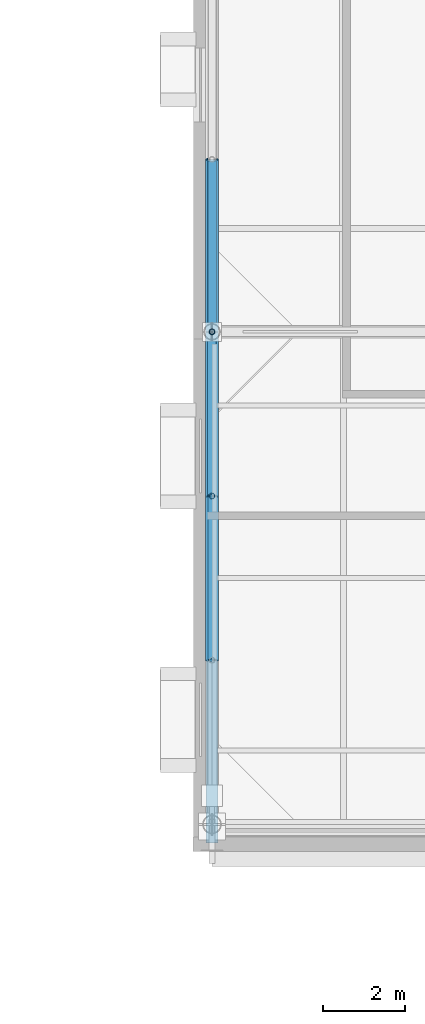
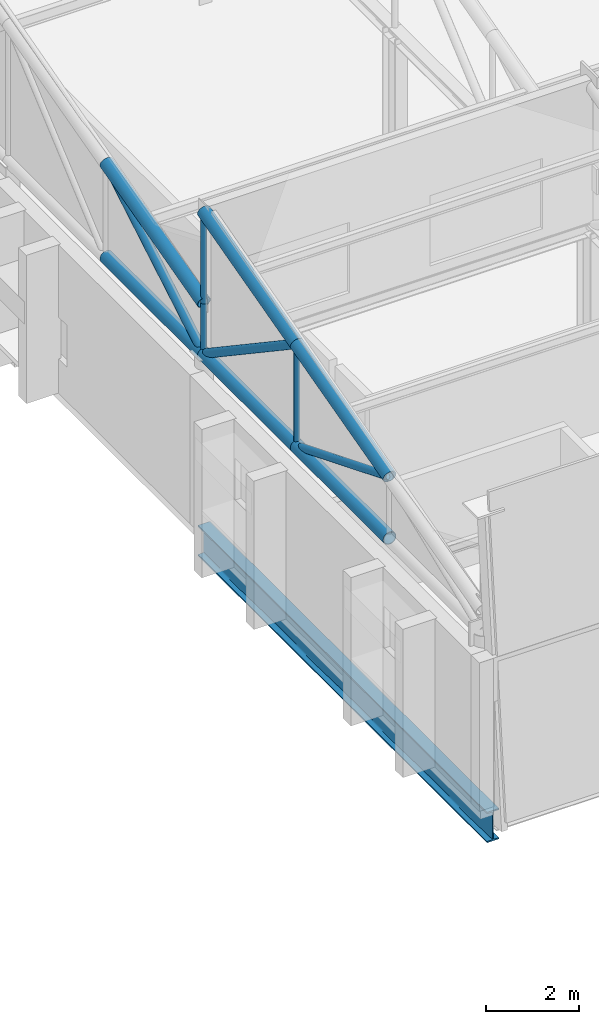
# One storey, part 15 of 89: 12 members, 1 beam.
"""IFC4 building model written with IfcOpenShell, lengths in metres."""

from ifc_helpers import new_model, si_unit, direction, frame, origin, origin_2d, place, context, subcontext, project, spatial, hollow_circle, i_section, extrude, material, material_profile, profile_set, type_object, element, save


model = new_model("IFC4")

# Units and contexts
model_context = context("Model", 3, precision=1e-05, world=origin(), true_north=direction((0.0, 1.0)))
body_context = subcontext(model_context, "Body", "Model", "MODEL_VIEW")
ifc_project = project(units=[si_unit("LENGTHUNIT", "METRE"), si_unit("AREAUNIT", "SQUARE_METRE"), si_unit("VOLUMEUNIT", "CUBIC_METRE"), si_unit("PLANEANGLEUNIT", "RADIAN"), si_unit("MASSUNIT", "GRAM", prefix="KILO")], contexts=[model_context])

# Site, building, storey
site_placement = place(None, origin())
site = spatial("IfcSite", under=ifc_project, at=site_placement, CompositionType="ELEMENT")
building_placement = place(site_placement, origin())
building = spatial("IfcBuilding", under=site, at=building_placement, Name="Zereglee Splitstone Museum", CompositionType="ELEMENT")
storey_placement = place(building_placement, frame((0.0, 0.0, 21.300048828125)))
storey = spatial("IfcBuildingStorey", under=building, at=storey_placement, Name="L04", CompositionType="ELEMENT", Elevation=21.300048828125)

# Members
ifc_material_1 = material(Name="Steel S355J2H", Category="steel")
ifc_material_profile_1 = material_profile(ifc_material_1, hollow_circle(Radius=0.096923828125, WallThickness=0.010009765625, at=origin_2d()), Name="CHS 193.7x10")
ifc_profile_set_1 = profile_set([ifc_material_profile_1], Name="Steel S355J2H")
member_type_1 = type_object("IfcMemberType", Name="TB-04", PredefinedType="BRACE", material=ifc_profile_set_1)
member_1_placement = place(storey_placement, frame((78.0, 17.60009765625, 4.199951171875), z_axis=(0.0, -0.927136001435, 0.374725012299), x_axis=(1.0, 0.0, 0.0)))
element("IfcMember", 1, at=member_1_placement, inside=storey, type_object=member_type_1, Name="Roof Truss ST-01 Diagonal 1.2", PredefinedType="BRACE", context=body_context, shape_type="SweptSolid", body=[
    extrude(hollow_circle(Radius=0.096923828125, WallThickness=0.010009765625, at=origin_2d()), origin(), (0.0, 0.0, 1.0), 4.314453125),
])
ifc_material_profile_2 = material_profile(ifc_material_1, hollow_circle(Radius=0.109619140625, WallThickness=0.010009765625, at=origin_2d()), Name="CHS 219.1x10")
ifc_profile_set_2 = profile_set([ifc_material_profile_2], Name="Steel S355J2H")
member_type_2 = type_object("IfcMemberType", Name="TB-03", PredefinedType="BRACE", material=ifc_profile_set_2)
member_2_placement = place(storey_placement, frame((78.0, 21.60009765625, 4.199951171875), z_axis=(0.0, -0.830448263685, 0.557095755991), x_axis=(1.0, 0.0, 0.0)))
element("IfcMember", 2, at=member_2_placement, inside=storey, type_object=member_type_2, Name="Roof Truss ST-01 Diagonal 1.3", PredefinedType="BRACE", context=body_context, shape_type="SweptSolid", body=[
    extrude(hollow_circle(Radius=0.109619140625, WallThickness=0.010009765625, at=origin_2d()), origin(), (0.0, 0.0, 1.0), 4.816650390625),
])
member_3_placement = place(storey_placement, frame((78.0, 21.60009765625, 4.199951171875), z_axis=(0.0, 0.861527117747, 0.50771155727), x_axis=(-1.0, 0.0, 0.0)))
element("IfcMember", 3, at=member_3_placement, inside=storey, type_object=member_type_2, Name="Roof Truss ST-01 Diagonal 2.1", PredefinedType="BRACE", context=body_context, shape_type="SweptSolid", body=[
    extrude(hollow_circle(Radius=0.109619140625, WallThickness=0.010009765625, at=origin_2d()), origin(), (0.0, 0.0, 1.0), 4.875),
])
ifc_material_profile_3 = material_profile(ifc_material_1, hollow_circle(Radius=0.161865234375, WallThickness=0.01611328125, at=origin_2d()), Name="CHS 323.9x16")
ifc_profile_set_3 = profile_set([ifc_material_profile_3], Name="Steel S355J2H")
member_type_3 = type_object("IfcMemberType", Name="TC-05", PredefinedType="CHORD", material=ifc_profile_set_3)
member_4_placement = place(storey_placement, frame((78.0, 13.60009765625, 4.199951171875), z_axis=(0.0, 1.0, 0.0), x_axis=(-1.0, 0.0, 0.0)))
element("IfcMember", 4, at=member_4_placement, inside=storey, type_object=member_type_3, Name="Roof Truss ST-01 Bottom Chord 1.2", PredefinedType="CHORD", context=body_context, shape_type="SweptSolid", body=[
    extrude(hollow_circle(Radius=0.161865234375, WallThickness=0.01611328125, at=origin_2d()), origin(), (0.0, 0.0, 1.0), 4.0),
])
member_5_placement = place(storey_placement, frame((78.0, 13.60009765625, 5.816650390625), z_axis=(0.0, 0.966235918422, 0.257658979955), x_axis=(-1.0, 0.0, 0.0)))
element("IfcMember", 5, at=member_5_placement, inside=storey, type_object=member_type_3, Name="Roof Truss ST-01 Top Chord 1.2", PredefinedType="CHORD", context=body_context, shape_type="SweptSolid", body=[
    extrude(hollow_circle(Radius=0.161865234375, WallThickness=0.01611328125, at=origin_2d()), origin(), (0.0, 0.0, 1.0), 4.139892578125),
])
member_6_placement = place(storey_placement, frame((78.0, 17.60009765625, 4.199951171875), z_axis=(0.0, 1.0, 0.0), x_axis=(-1.0, 0.0, 0.0)))
element("IfcMember", 6, at=member_6_placement, inside=storey, type_object=member_type_3, Name="Roof Truss ST-01 Bottom Chord 1.3", PredefinedType="CHORD", context=body_context, shape_type="SweptSolid", body=[
    extrude(hollow_circle(Radius=0.161865234375, WallThickness=0.01611328125, at=origin_2d()), origin(), (0.0, 0.0, 1.0), 4.0),
])
member_7_placement = place(storey_placement, frame((78.0, 17.60009765625, 6.88330078125), z_axis=(0.0, 0.966235918422, 0.257658979955), x_axis=(-1.0, 0.0, 0.0)))
element("IfcMember", 7, at=member_7_placement, inside=storey, type_object=member_type_3, Name="Roof Truss ST-01 Top Chord 1.3", PredefinedType="CHORD", context=body_context, shape_type="SweptSolid", body=[
    extrude(hollow_circle(Radius=0.161865234375, WallThickness=0.01611328125, at=origin_2d()), origin(), (0.0, 0.0, 1.0), 4.139892578125),
])
member_8_placement = place(storey_placement, frame((78.0, 21.60009765625, 4.199951171875), z_axis=(0.0, 1.0, 0.0), x_axis=(-1.0, 0.0, 0.0)))
element("IfcMember", 8, at=member_8_placement, inside=storey, type_object=member_type_3, Name="Roof Truss ST-01 Bottom Chord 2.1", PredefinedType="CHORD", context=body_context, shape_type="SweptSolid", body=[
    extrude(hollow_circle(Radius=0.161865234375, WallThickness=0.01611328125, at=origin_2d()), origin(), (0.0, 0.0, 1.0), 4.199951171875),
])
member_9_placement = place(storey_placement, frame((78.0, 21.60009765625, 5.550048828125), z_axis=(0.0, 0.965947299715, 0.258738891884), x_axis=(-1.0, 0.0, 0.0)))
element("IfcMember", 9, at=member_9_placement, inside=storey, type_object=member_type_3, Name="Roof Truss ST-01 Top Chord 2.1", PredefinedType="CHORD", context=body_context, shape_type="SweptSolid", body=[
    extrude(hollow_circle(Radius=0.161865234375, WallThickness=0.01611328125, at=origin_2d()), origin(), (0.0, 0.0, 1.0), 4.347900390625),
])

# Beam
ifc_material_2 = material(Name="Steel S355J2", Category="steel")
ifc_material_profile_4 = material_profile(ifc_material_2, i_section(OverallWidth=0.300048828125, OverallDepth=0.800048828125, WebThickness=0.017578125, FlangeThickness=0.032958984375, FilletRadius=0.030029296875, at=origin_2d()), Name="HE 800 B")
ifc_profile_set_4 = profile_set([ifc_material_profile_4], Name="Steel S355J2")
beam_type = type_object("IfcBeamType", Name="BG-07", PredefinedType="BEAM", material=ifc_profile_set_4)
beam_placement = place(storey_placement, frame((78.0, 9.14990234375, -0.66015625), z_axis=(0.0, 1.0, 0.0), x_axis=(-1.0, 0.0, 0.0)))
element("IfcBeam", 10, at=beam_placement, inside=storey, type_object=beam_type, Name="Primary Girder L04 10 (9.2-21.6)", PredefinedType="BEAM", context=body_context, shape_type="SweptSolid", body=[
    extrude(i_section(OverallWidth=0.300048828125, OverallDepth=0.800048828125, WebThickness=0.017578125, FlangeThickness=0.032958984375, FilletRadius=0.030029296875, at=origin_2d()), origin(), (0.0, 0.0, 1.0), 12.4501953125),
])

# Members
ifc_material_profile_5 = material_profile(ifc_material_1, hollow_circle(Radius=0.06982421875, WallThickness=0.008056640625, at=origin_2d()), Name="CHS 139.7x8")
ifc_profile_set_5 = profile_set([ifc_material_profile_5], Name="Steel S355J2H")
member_type_4 = type_object("IfcMemberType", Name="TP-03", PredefinedType="POST", material=ifc_profile_set_5)
member_10_placement = place(storey_placement, frame((78.0, 17.60009765625, 4.199951171875), z_axis=(0.0, 0.0, 1.0), x_axis=(1.0, 0.0, 0.0)))
element("IfcMember", 11, at=member_10_placement, inside=storey, type_object=member_type_4, Name="Roof Truss ST-01 Post 1.2", PredefinedType="POST", context=body_context, shape_type="SweptSolid", body=[
    extrude(hollow_circle(Radius=0.06982421875, WallThickness=0.008056640625, at=origin_2d()), origin(), (0.0, 0.0, 1.0), 2.683349609375),
])
member_11_placement = place(storey_placement, frame((78.0, 21.60009765625, 4.199951171875), z_axis=(0.0, 0.0, 1.0), x_axis=(1.0, 0.0, 0.0)))
element("IfcMember", 12, at=member_11_placement, inside=storey, type_object=member_type_4, Name="Roof Truss ST-01 Post 1.3", PredefinedType="POST", context=body_context, shape_type="SweptSolid", body=[
    extrude(hollow_circle(Radius=0.06982421875, WallThickness=0.008056640625, at=origin_2d()), origin(), (0.0, 0.0, 1.0), 3.75),
])
member_12_placement = place(storey_placement, frame((78.0, 21.60009765625, 4.199951171875), z_axis=(0.0, 0.0, 1.0), x_axis=(1.0, 0.0, 0.0)))
element("IfcMember", 13, at=member_12_placement, inside=storey, type_object=member_type_4, Name="Roof Truss ST-01 Post 2.0", PredefinedType="POST", context=body_context, shape_type="SweptSolid", body=[
    extrude(hollow_circle(Radius=0.06982421875, WallThickness=0.008056640625, at=origin_2d()), origin(), (0.0, 0.0, 1.0), 1.35009765625),
])

save(model, "model.ifc")
